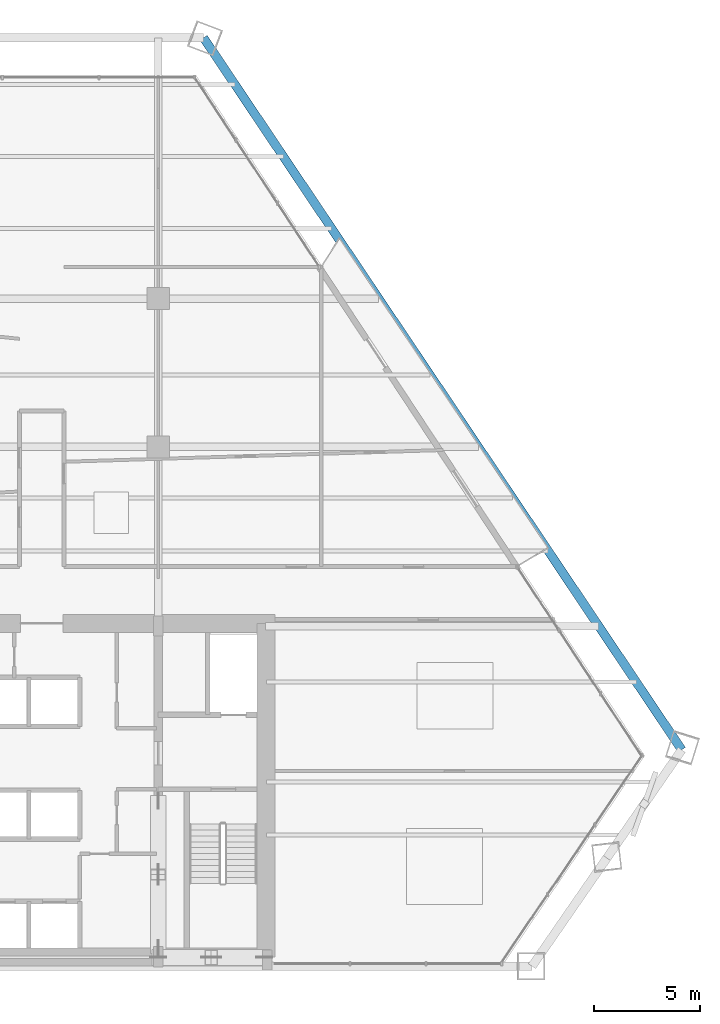
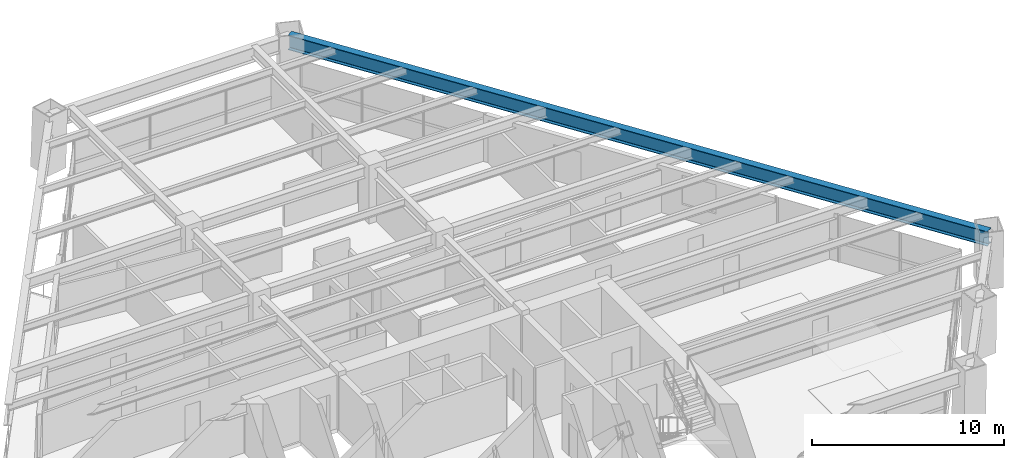
# One storey, part 7 of 14: 1 beam.
"""IFC4 building model written with IfcOpenShell, lengths in metres."""

from ifc_helpers import new_model, si_unit, direction, frame, origin, origin_2d, place, context, subcontext, project, spatial, i_section, extrude, source, transform, mapped, material, material_profile, profile_set, type_object, element, save


model = new_model("IFC4")

# Units and contexts
model_context = context("Model", 3, precision=1e-05, world=origin(), true_north=direction((0.0, 1.0)))
body_context = subcontext(model_context, "Body", "Model", "MODEL_VIEW")
ifc_project = project(units=[si_unit("LENGTHUNIT", "METRE"), si_unit("AREAUNIT", "SQUARE_METRE"), si_unit("VOLUMEUNIT", "CUBIC_METRE"), si_unit("PLANEANGLEUNIT", "RADIAN"), si_unit("MASSUNIT", "GRAM", prefix="KILO")], contexts=[model_context])

# Site, building, storey
site_placement = place(None, origin())
site = spatial("IfcSite", under=ifc_project, at=site_placement, CompositionType="ELEMENT")
building_placement = place(site_placement, origin())
building = spatial("IfcBuilding", under=site, at=building_placement, Name="Varnakhor Terracotta Tower", CompositionType="ELEMENT")
storey_placement = place(building_placement, frame((0.0, 0.0, 68.199951171875)))
storey = spatial("IfcBuildingStorey", under=building, at=storey_placement, Name="L16", CompositionType="ELEMENT", Elevation=68.199951171875)

# Beam
ifc_material = material(Name="Steel S355", Category="steel")
ifc_material_profile = material_profile(ifc_material, i_section(OverallWidth=0.41796875, OverallDepth=0.927001953125, WebThickness=0.01904296875, FlangeThickness=0.031982421875, FilletRadius=0.01806640625, at=origin_2d()), Name="W36X231")
ifc_profile_set = profile_set([ifc_material_profile], Name="Steel S355")
beam_type = type_object("IfcBeamType", Name="BM-W36X231", PredefinedType="BEAM", material=ifc_profile_set)
shared_shape = source(origin(), body_context, "Body", "SweptSolid", [
    extrude(i_section(OverallWidth=0.41796875, OverallDepth=0.927001953125, WebThickness=0.01904296875, FlangeThickness=0.031982421875, FilletRadius=0.01806640625, at=origin_2d()), origin(), (0.0, 0.0, 1.0), 40.46923828125),
])
beam_placement = place(storey_placement, frame((30.20068359375, 10.210205078125, 2.9365234375), z_axis=(-0.557541167276, 0.83014929187, 0.0), x_axis=(-0.83014929187, -0.557541167276, 0.0)))
element("IfcBeam", 1, at=beam_placement, inside=storey, type_object=beam_type, Name="L16 Perimeter Spandrel 4", PredefinedType="BEAM", context=body_context, shape_type="MappedRepresentation", body=[
    mapped(shared_shape, transform((0.0, 0.0, 0.0), scale=1.0)),
])

save(model, "model.ifc")
